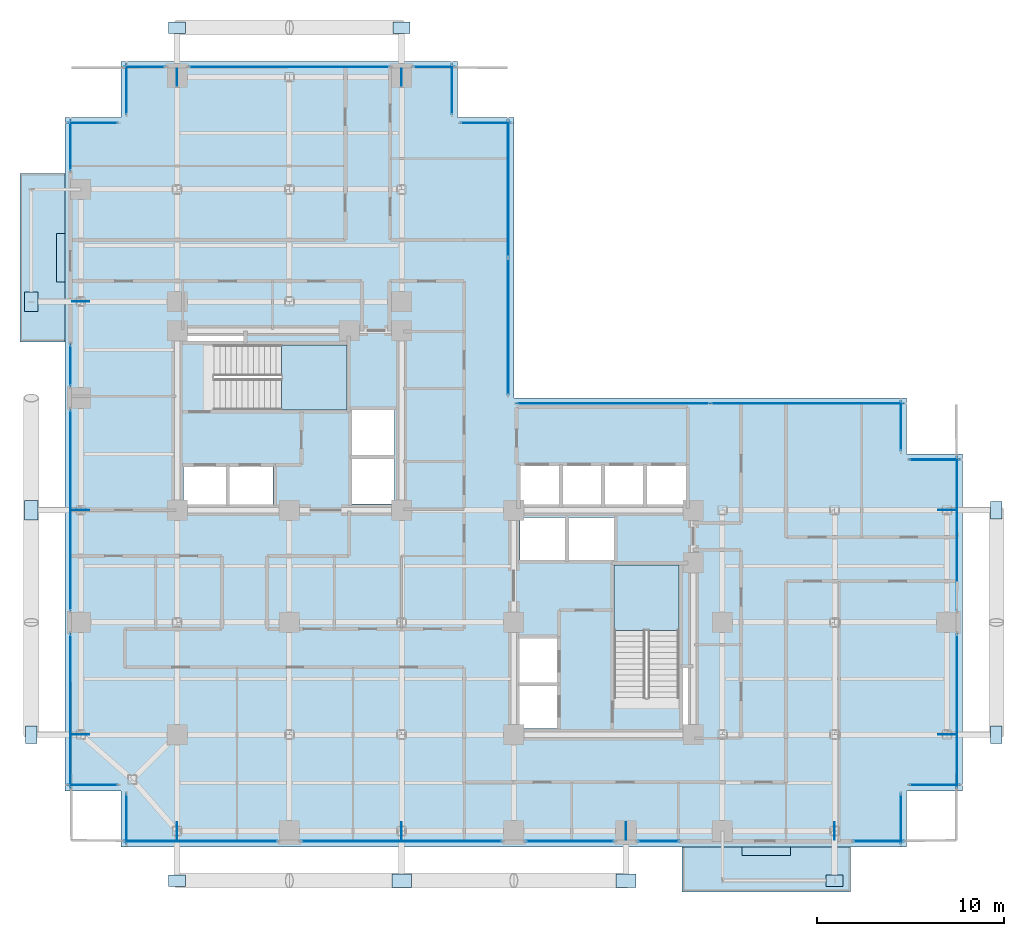
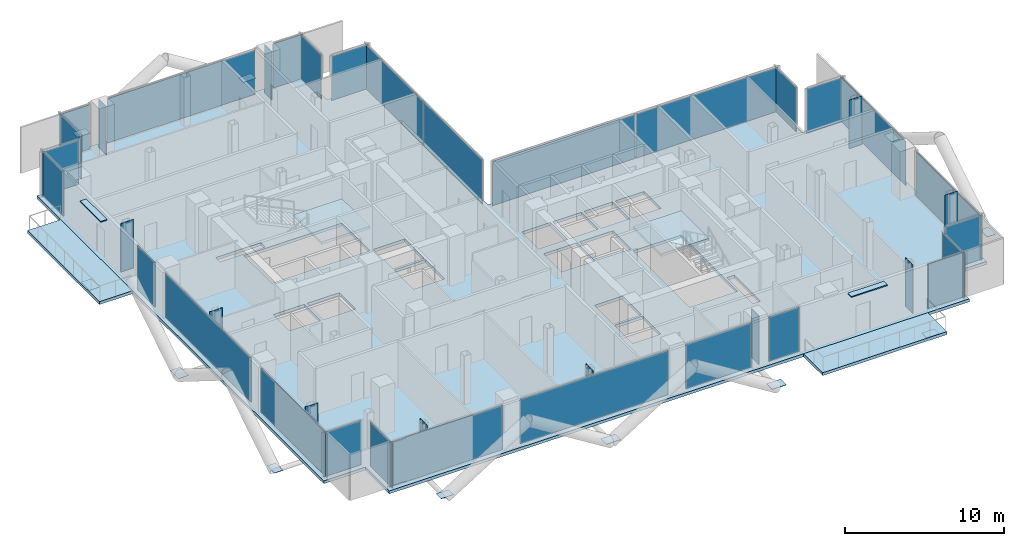
# One storey, part 18 of 28: 52 plates, 5 slabs, 28 elements without a shape of their own.
"""IFC4 building model written with IfcOpenShell, lengths in metres."""

from ifc_helpers import new_model, si_unit, direction, frame, origin, origin_2d, place, context, subcontext, project, spatial, polyline, rectangle, outline, extrude, material, layer, layer_set, type_object, element, aggregate, save


model = new_model("IFC4")

# Units and contexts
model_context = context("Model", 3, precision=1e-05, world=origin(), true_north=direction((0.0, 1.0)))
body_context = subcontext(model_context, "Body", "Model", "MODEL_VIEW")
ifc_project = project(units=[si_unit("LENGTHUNIT", "METRE"), si_unit("AREAUNIT", "SQUARE_METRE"), si_unit("VOLUMEUNIT", "CUBIC_METRE"), si_unit("PLANEANGLEUNIT", "RADIAN"), si_unit("MASSUNIT", "GRAM", prefix="KILO"), si_unit("THERMODYNAMICTEMPERATUREUNIT", "KELVIN"), si_unit("POWERUNIT", "WATT")], contexts=[model_context])

# Site, building, storey
site_placement = place(None, origin())
site = spatial("IfcSite", under=ifc_project, at=site_placement, CompositionType="ELEMENT")
building_placement = place(site_placement, origin())
building = spatial("IfcBuilding", under=site, at=building_placement, Name="Svarakhadi Broadcast Tower", CompositionType="ELEMENT")
storey_placement = place(building_placement, frame((0.0, 0.0, 149.39990234375)))
storey = spatial("IfcBuildingStorey", under=building, at=storey_placement, Name="L36", CompositionType="ELEMENT", Elevation=149.39990234375)

# Curtain wall, plate
ifc_material_1 = material(Name="Anodised Bronze Aluminium AA 6063-T6", Category="aluminium")
ifc_layer_1 = layer(ifc_material_1, 0.199951171875)
ifc_layer_set_1 = layer_set([ifc_layer_1], Name="Anodised Bronze Aluminium AA 6063-T6")
curtain_wall_type = type_object("IfcCurtainWallType", Name="CW_Sys_03", PredefinedType="NOTDEFINED", material=ifc_layer_set_1)
curtain_wall_1_placement = place(storey_placement, origin())
curtain_wall_1 = element("IfcCurtainWall", 1, at=curtain_wall_1_placement, inside=storey, type_object=curtain_wall_type, Name="L36 Unitised Facade Curtain Wall 01", PredefinedType="NOTDEFINED")
ifc_material_2 = material(Name="Double Low-E Laminated Acoustic Glass IGU 36 mm", Category="glass")
ifc_layer_2 = layer(ifc_material_2, 0.035888671875)
ifc_layer_set_2 = layer_set([ifc_layer_2], Name="Double Low-E Laminated Acoustic Glass IGU 36 mm")
plate_type_1 = type_object("IfcPlateType", Name="CW_Sys_03_Pnl", PredefinedType="CURTAIN_PANEL", material=ifc_layer_set_2)
plate_1_placement = place(storey_placement, frame((1.5, 3.300048828125, 0.0703125), z_axis=(0.0, 0.0, 1.0), x_axis=(-1.0, 0.0, 0.0)))
plate_1 = element("IfcPlate", 2, at=plate_1_placement, type_object=plate_type_1, Name="CW-03 panel 1.1", PredefinedType="CURTAIN_PANEL", context=body_context, shape_type="SweptSolid", body=[
    extrude(rectangle(XDim=2.669921875, YDim=0.035888671875, at=origin_2d()), origin(), (0.0, 0.0, 1.0), 3.385009765625),
])
aggregate(curtain_wall_1, [plate_1])

curtain_wall_2_placement = place(storey_placement, origin())
curtain_wall_2 = element("IfcCurtainWall", 3, at=curtain_wall_2_placement, inside=storey, type_object=curtain_wall_type, Name="L36 West Curtain Wall 02 Bay 1", PredefinedType="NOTDEFINED")
plate_2_placement = place(storey_placement, frame((0.300048828125, 7.260009765625, 0.0703125), z_axis=(0.0, 0.0, 1.0), x_axis=(0.0, 1.0, 0.0)))
plate_2 = element("IfcPlate", 4, at=plate_2_placement, type_object=plate_type_1, Name="CW-03 panel 1.1", PredefinedType="CURTAIN_PANEL", context=body_context, shape_type="SweptSolid", body=[
    extrude(rectangle(XDim=8.18994140625, YDim=0.035888671875, at=origin_2d()), origin(), (0.0, 0.0, 1.0), 3.385009765625),
])
aggregate(curtain_wall_2, [plate_2])

curtain_wall_3_placement = place(storey_placement, origin())
curtain_wall_3 = element("IfcCurtainWall", 5, at=curtain_wall_3_placement, inside=storey, type_object=curtain_wall_type, Name="L36 West Curtain Wall 02 Bay 2", PredefinedType="NOTDEFINED")
plate_3_placement = place(storey_placement, frame((0.300048828125, 18.0, 0.0703125), z_axis=(0.0, 0.0, 1.0), x_axis=(0.0, 1.0, 0.0)))
plate_3 = element("IfcPlate", 6, at=plate_3_placement, type_object=plate_type_1, Name="CW-03 panel 1.1", PredefinedType="CURTAIN_PANEL", context=body_context, shape_type="SweptSolid", body=[
    extrude(rectangle(XDim=10.7099609375, YDim=0.035888671875, at=origin_2d()), origin(), (0.0, 0.0, 1.0), 3.385009765625),
])
aggregate(curtain_wall_3, [plate_3])

curtain_wall_4_placement = place(storey_placement, origin())
curtain_wall_4 = element("IfcCurtainWall", 7, at=curtain_wall_4_placement, inside=storey, type_object=curtain_wall_type, Name="L36 West Curtain Wall 02 Bay 3", PredefinedType="NOTDEFINED")
plate_4_placement = place(storey_placement, frame((0.300048828125, 25.739990234375, 0.0703125), z_axis=(0.0, 0.0, 1.0), x_axis=(0.0, 1.0, 0.0)))
plate_4 = element("IfcPlate", 8, at=plate_4_placement, type_object=plate_type_1, Name="CW-03 panel 1.1", PredefinedType="CURTAIN_PANEL", context=body_context, shape_type="SweptSolid", body=[
    extrude(rectangle(XDim=2.18994140625, YDim=0.035888671875, at=origin_2d()), origin(), (0.0, 0.0, 1.0), 3.385009765625),
])
aggregate(curtain_wall_4, [plate_4])

curtain_wall_5_placement = place(storey_placement, origin())
curtain_wall_5 = element("IfcCurtainWall", 9, at=curtain_wall_5_placement, inside=storey, type_object=curtain_wall_type, Name="L36 West Curtain Wall 03", PredefinedType="NOTDEFINED")
plate_5_placement = place(storey_placement, frame((0.300048828125, 37.5, 0.0703125), z_axis=(0.0, 0.0, 1.0), x_axis=(0.0, 1.0, 0.0)))
plate_5 = element("IfcPlate", 10, at=plate_5_placement, type_object=plate_type_1, Name="CW-03 panel 1.1", PredefinedType="CURTAIN_PANEL", context=body_context, shape_type="SweptSolid", body=[
    extrude(rectangle(XDim=2.669921875, YDim=0.035888671875, at=origin_2d()), origin(), (0.0, 0.0, 1.0), 3.385009765625),
])
aggregate(curtain_wall_5, [plate_5])

curtain_wall_6_placement = place(storey_placement, origin())
curtain_wall_6 = element("IfcCurtainWall", 11, at=curtain_wall_6_placement, inside=storey, type_object=curtain_wall_type, Name="L36 Unitised Facade Curtain Wall 04", PredefinedType="NOTDEFINED")
plate_6_placement = place(storey_placement, frame((1.5, 38.699951171875, 0.0703125), z_axis=(0.0, 0.0, 1.0), x_axis=(1.0, 0.0, 0.0)))
plate_6 = element("IfcPlate", 12, at=plate_6_placement, type_object=plate_type_1, Name="CW-03 panel 1.1", PredefinedType="CURTAIN_PANEL", context=body_context, shape_type="SweptSolid", body=[
    extrude(rectangle(XDim=2.669921875, YDim=0.035888671875, at=origin_2d()), origin(), (0.0, 0.0, 1.0), 3.385009765625),
])
aggregate(curtain_wall_6, [plate_6])

curtain_wall_7_placement = place(storey_placement, origin())
curtain_wall_7 = element("IfcCurtainWall", 13, at=curtain_wall_7_placement, inside=storey, type_object=curtain_wall_type, Name="L36 Unitised Facade Curtain Wall 05", PredefinedType="NOTDEFINED")
plate_7_placement = place(storey_placement, frame((3.300048828125, 40.5, 0.0703125), z_axis=(0.0, 0.0, 1.0), x_axis=(0.0, 1.0, 0.0)))
plate_7 = element("IfcPlate", 14, at=plate_7_placement, type_object=plate_type_1, Name="CW-03 panel 1.1", PredefinedType="CURTAIN_PANEL", context=body_context, shape_type="SweptSolid", body=[
    extrude(rectangle(XDim=2.669921875, YDim=0.035888671875, at=origin_2d()), origin(), (0.0, 0.0, 1.0), 3.385009765625),
])
aggregate(curtain_wall_7, [plate_7])

curtain_wall_8_placement = place(storey_placement, origin())
curtain_wall_8 = element("IfcCurtainWall", 15, at=curtain_wall_8_placement, inside=storey, type_object=curtain_wall_type, Name="L36 Unitised Facade Curtain Wall 06 Bay 1", PredefinedType="NOTDEFINED")
plate_8_placement = place(storey_placement, frame((4.260009765625, 41.699951171875, 0.0703125), z_axis=(0.0, 0.0, 1.0), x_axis=(1.0, 0.0, 0.0)))
plate_8 = element("IfcPlate", 16, at=plate_8_placement, type_object=plate_type_1, Name="CW-03 panel 1.1", PredefinedType="CURTAIN_PANEL", context=body_context, shape_type="SweptSolid", body=[
    extrude(rectangle(XDim=2.18994140625, YDim=0.035888671875, at=origin_2d()), origin(), (0.0, 0.0, 1.0), 3.385009765625),
])
aggregate(curtain_wall_8, [plate_8])

curtain_wall_9_placement = place(storey_placement, origin())
curtain_wall_9 = element("IfcCurtainWall", 17, at=curtain_wall_9_placement, inside=storey, type_object=curtain_wall_type, Name="L36 Unitised Facade Curtain Wall 06 Bay 2", PredefinedType="NOTDEFINED")
plate_9_placement = place(storey_placement, frame((12.0, 41.699951171875, 0.0703125), z_axis=(0.0, 0.0, 1.0), x_axis=(1.0, 0.0, 0.0)))
plate_9 = element("IfcPlate", 18, at=plate_9_placement, type_object=plate_type_1, Name="CW-03 panel 1.1", PredefinedType="CURTAIN_PANEL", context=body_context, shape_type="SweptSolid", body=[
    extrude(rectangle(XDim=10.7099609375, YDim=0.035888671875, at=origin_2d()), origin(), (0.0, 0.0, 1.0), 3.385009765625),
])
aggregate(curtain_wall_9, [plate_9])

curtain_wall_10_placement = place(storey_placement, origin())
curtain_wall_10 = element("IfcCurtainWall", 19, at=curtain_wall_10_placement, inside=storey, type_object=curtain_wall_type, Name="L36 Unitised Facade Curtain Wall 06 Bay 3", PredefinedType="NOTDEFINED")
plate_10_placement = place(storey_placement, frame((19.739990234375, 41.699951171875, 0.0703125), z_axis=(0.0, 0.0, 1.0), x_axis=(1.0, 0.0, 0.0)))
plate_10 = element("IfcPlate", 20, at=plate_10_placement, type_object=plate_type_1, Name="CW-03 panel 1.1", PredefinedType="CURTAIN_PANEL", context=body_context, shape_type="SweptSolid", body=[
    extrude(rectangle(XDim=2.18994140625, YDim=0.035888671875, at=origin_2d()), origin(), (0.0, 0.0, 1.0), 3.385009765625),
])
aggregate(curtain_wall_10, [plate_10])

curtain_wall_11_placement = place(storey_placement, origin())
curtain_wall_11 = element("IfcCurtainWall", 21, at=curtain_wall_11_placement, inside=storey, type_object=curtain_wall_type, Name="L36 Unitised Facade Curtain Wall 07", PredefinedType="NOTDEFINED")
plate_11_placement = place(storey_placement, frame((20.699951171875, 40.5, 0.0703125), z_axis=(0.0, 0.0, 1.0), x_axis=(0.0, -1.0, 0.0)))
plate_11 = element("IfcPlate", 22, at=plate_11_placement, type_object=plate_type_1, Name="CW-03 panel 1.1", PredefinedType="CURTAIN_PANEL", context=body_context, shape_type="SweptSolid", body=[
    extrude(rectangle(XDim=2.669921875, YDim=0.035888671875, at=origin_2d()), origin(), (0.0, 0.0, 1.0), 3.385009765625),
])
aggregate(curtain_wall_11, [plate_11])

curtain_wall_12_placement = place(storey_placement, origin())
curtain_wall_12 = element("IfcCurtainWall", 23, at=curtain_wall_12_placement, inside=storey, type_object=curtain_wall_type, Name="L36 Unitised Facade Curtain Wall 08", PredefinedType="NOTDEFINED")
plate_12_placement = place(storey_placement, frame((22.5, 38.699951171875, 0.0703125), z_axis=(0.0, 0.0, 1.0), x_axis=(1.0, 0.0, 0.0)))
plate_12 = element("IfcPlate", 24, at=plate_12_placement, type_object=plate_type_1, Name="CW-03 panel 1.1", PredefinedType="CURTAIN_PANEL", context=body_context, shape_type="SweptSolid", body=[
    extrude(rectangle(XDim=2.669921875, YDim=0.035888671875, at=origin_2d()), origin(), (0.0, 0.0, 1.0), 3.385009765625),
])
aggregate(curtain_wall_12, [plate_12])

# Curtain wall, plates
curtain_wall_13_placement = place(storey_placement, origin())
curtain_wall_13 = element("IfcCurtainWall", 25, at=curtain_wall_13_placement, inside=storey, type_object=curtain_wall_type, Name="L36 Unitised Facade Curtain Wall 09", PredefinedType="NOTDEFINED")
plate_13_placement = place(storey_placement, frame((23.699951171875, 35.186279296875, 0.0703125), z_axis=(0.0, 0.0, 1.0), x_axis=(0.0, -1.0, 0.0)))
plate_13 = element("IfcPlate", 26, at=plate_13_placement, type_object=plate_type_1, Name="CW-03 panel 1.1", PredefinedType="CURTAIN_PANEL", context=body_context, shape_type="SweptSolid", body=[
    extrude(rectangle(XDim=7.297607421875, YDim=0.035888671875, at=origin_2d()), origin(), (0.0, 0.0, 1.0), 3.385009765625),
])
plate_14_placement = place(storey_placement, frame((23.699951171875, 27.813720703125, 0.0703125), z_axis=(0.0, 0.0, 1.0), x_axis=(0.0, -1.0, 0.0)))
plate_14 = element("IfcPlate", 27, at=plate_14_placement, type_object=plate_type_1, Name="CW-03 panel 2.1", PredefinedType="CURTAIN_PANEL", context=body_context, shape_type="SweptSolid", body=[
    extrude(rectangle(XDim=7.297607421875, YDim=0.035888671875, at=origin_2d()), origin(), (0.0, 0.0, 1.0), 3.385009765625),
])
aggregate(curtain_wall_13, [plate_13, plate_14])

curtain_wall_14_placement = place(storey_placement, origin())
curtain_wall_14 = element("IfcCurtainWall", 28, at=curtain_wall_14_placement, inside=storey, type_object=curtain_wall_type, Name="L36 Unitised Facade Curtain Wall 10", PredefinedType="NOTDEFINED")
plate_15_placement = place(storey_placement, frame((29.313720703125, 23.699951171875, 0.0703125), z_axis=(0.0, 0.0, 1.0), x_axis=(1.0, 0.0, 0.0)))
plate_15 = element("IfcPlate", 29, at=plate_15_placement, type_object=plate_type_1, Name="CW-03 panel 1.1", PredefinedType="CURTAIN_PANEL", context=body_context, shape_type="SweptSolid", body=[
    extrude(rectangle(XDim=10.297607421875, YDim=0.035888671875, at=origin_2d()), origin(), (0.0, 0.0, 1.0), 3.385009765625),
])
plate_16_placement = place(storey_placement, frame((39.686279296875, 23.699951171875, 0.0703125), z_axis=(0.0, 0.0, 1.0), x_axis=(1.0, 0.0, 0.0)))
plate_16 = element("IfcPlate", 30, at=plate_16_placement, type_object=plate_type_1, Name="CW-03 panel 2.1", PredefinedType="CURTAIN_PANEL", context=body_context, shape_type="SweptSolid", body=[
    extrude(rectangle(XDim=10.297607421875, YDim=0.035888671875, at=origin_2d()), origin(), (0.0, 0.0, 1.0), 3.385009765625),
])
aggregate(curtain_wall_14, [plate_15, plate_16])

# Curtain wall, plate
curtain_wall_15_placement = place(storey_placement, origin())
curtain_wall_15 = element("IfcCurtainWall", 31, at=curtain_wall_15_placement, inside=storey, type_object=curtain_wall_type, Name="L36 Unitised Facade Curtain Wall 11", PredefinedType="NOTDEFINED")
plate_17_placement = place(storey_placement, frame((44.699951171875, 22.5, 0.0703125), z_axis=(0.0, 0.0, 1.0), x_axis=(0.0, -1.0, 0.0)))
plate_17 = element("IfcPlate", 32, at=plate_17_placement, type_object=plate_type_1, Name="CW-03 panel 1.1", PredefinedType="CURTAIN_PANEL", context=body_context, shape_type="SweptSolid", body=[
    extrude(rectangle(XDim=2.669921875, YDim=0.035888671875, at=origin_2d()), origin(), (0.0, 0.0, 1.0), 3.385009765625),
])
aggregate(curtain_wall_15, [plate_17])

curtain_wall_16_placement = place(storey_placement, origin())
curtain_wall_16 = element("IfcCurtainWall", 33, at=curtain_wall_16_placement, inside=storey, type_object=curtain_wall_type, Name="L36 Unitised Facade Curtain Wall 12", PredefinedType="NOTDEFINED")
plate_18_placement = place(storey_placement, frame((46.5, 20.699951171875, 0.0703125), z_axis=(0.0, 0.0, 1.0), x_axis=(1.0, 0.0, 0.0)))
plate_18 = element("IfcPlate", 34, at=plate_18_placement, type_object=plate_type_1, Name="CW-03 panel 1.1", PredefinedType="CURTAIN_PANEL", context=body_context, shape_type="SweptSolid", body=[
    extrude(rectangle(XDim=2.669921875, YDim=0.035888671875, at=origin_2d()), origin(), (0.0, 0.0, 1.0), 3.385009765625),
])
aggregate(curtain_wall_16, [plate_18])

curtain_wall_17_placement = place(storey_placement, origin())
curtain_wall_17 = element("IfcCurtainWall", 35, at=curtain_wall_17_placement, inside=storey, type_object=curtain_wall_type, Name="L36 Unitised Facade Curtain Wall 13 Bay 1", PredefinedType="NOTDEFINED")
plate_19_placement = place(storey_placement, frame((47.699951171875, 16.739990234375, 0.0703125), z_axis=(0.0, 0.0, 1.0), x_axis=(0.0, -1.0, 0.0)))
plate_19 = element("IfcPlate", 36, at=plate_19_placement, type_object=plate_type_1, Name="CW-03 panel 1.1", PredefinedType="CURTAIN_PANEL", context=body_context, shape_type="SweptSolid", body=[
    extrude(rectangle(XDim=8.18994140625, YDim=0.035888671875, at=origin_2d()), origin(), (0.0, 0.0, 1.0), 3.385009765625),
])
aggregate(curtain_wall_17, [plate_19])

curtain_wall_18_placement = place(storey_placement, origin())
curtain_wall_18 = element("IfcCurtainWall", 37, at=curtain_wall_18_placement, inside=storey, type_object=curtain_wall_type, Name="L36 Unitised Facade Curtain Wall 13 Bay 2", PredefinedType="NOTDEFINED")
plate_20_placement = place(storey_placement, frame((47.699951171875, 7.260009765625, 0.0703125), z_axis=(0.0, 0.0, 1.0), x_axis=(0.0, -1.0, 0.0)))
plate_20 = element("IfcPlate", 38, at=plate_20_placement, type_object=plate_type_1, Name="CW-03 panel 1.1", PredefinedType="CURTAIN_PANEL", context=body_context, shape_type="SweptSolid", body=[
    extrude(rectangle(XDim=8.18994140625, YDim=0.035888671875, at=origin_2d()), origin(), (0.0, 0.0, 1.0), 3.385009765625),
])
aggregate(curtain_wall_18, [plate_20])

curtain_wall_19_placement = place(storey_placement, origin())
curtain_wall_19 = element("IfcCurtainWall", 39, at=curtain_wall_19_placement, inside=storey, type_object=curtain_wall_type, Name="L36 Unitised Facade Curtain Wall 14", PredefinedType="NOTDEFINED")
plate_21_placement = place(storey_placement, frame((46.5, 3.300048828125, 0.0703125), z_axis=(0.0, 0.0, 1.0), x_axis=(-1.0, 0.0, 0.0)))
plate_21 = element("IfcPlate", 40, at=plate_21_placement, type_object=plate_type_1, Name="CW-03 panel 1.1", PredefinedType="CURTAIN_PANEL", context=body_context, shape_type="SweptSolid", body=[
    extrude(rectangle(XDim=2.669921875, YDim=0.035888671875, at=origin_2d()), origin(), (0.0, 0.0, 1.0), 3.385009765625),
])
aggregate(curtain_wall_19, [plate_21])

curtain_wall_20_placement = place(storey_placement, origin())
curtain_wall_20 = element("IfcCurtainWall", 41, at=curtain_wall_20_placement, inside=storey, type_object=curtain_wall_type, Name="L36 Unitised Facade Curtain Wall 15", PredefinedType="NOTDEFINED")
plate_22_placement = place(storey_placement, frame((44.699951171875, 1.5, 0.0703125), z_axis=(0.0, 0.0, 1.0), x_axis=(0.0, -1.0, 0.0)))
plate_22 = element("IfcPlate", 42, at=plate_22_placement, type_object=plate_type_1, Name="CW-03 panel 1.1", PredefinedType="CURTAIN_PANEL", context=body_context, shape_type="SweptSolid", body=[
    extrude(rectangle(XDim=2.669921875, YDim=0.035888671875, at=origin_2d()), origin(), (0.0, 0.0, 1.0), 3.385009765625),
])
aggregate(curtain_wall_20, [plate_22])

curtain_wall_21_placement = place(storey_placement, origin())
curtain_wall_21 = element("IfcCurtainWall", 43, at=curtain_wall_21_placement, inside=storey, type_object=curtain_wall_type, Name="L36 South Curtain Wall 16", PredefinedType="NOTDEFINED")
plate_23_placement = place(storey_placement, frame((43.5, 0.300048828125, 0.0703125), z_axis=(0.0, 0.0, 1.0), x_axis=(-1.0, 0.0, 0.0)))
plate_23 = element("IfcPlate", 44, at=plate_23_placement, type_object=plate_type_1, Name="CW-03 panel 1.1", PredefinedType="CURTAIN_PANEL", context=body_context, shape_type="SweptSolid", body=[
    extrude(rectangle(XDim=2.669921875, YDim=0.035888671875, at=origin_2d()), origin(), (0.0, 0.0, 1.0), 3.385009765625),
])
aggregate(curtain_wall_21, [plate_23])

curtain_wall_22_placement = place(storey_placement, origin())
curtain_wall_22 = element("IfcCurtainWall", 45, at=curtain_wall_22_placement, inside=storey, type_object=curtain_wall_type, Name="L36 South Curtain Wall 17 Bay 1", PredefinedType="NOTDEFINED")
plate_24_placement = place(storey_placement, frame((31.739990234375, 0.300048828125, 0.0703125), z_axis=(0.0, 0.0, 1.0), x_axis=(-1.0, 0.0, 0.0)))
plate_24 = element("IfcPlate", 46, at=plate_24_placement, type_object=plate_type_1, Name="CW-03 panel 1.1", PredefinedType="CURTAIN_PANEL", context=body_context, shape_type="SweptSolid", body=[
    extrude(rectangle(XDim=2.18994140625, YDim=0.035888671875, at=origin_2d()), origin(), (0.0, 0.0, 1.0), 3.385009765625),
])
aggregate(curtain_wall_22, [plate_24])

curtain_wall_23_placement = place(storey_placement, origin())
curtain_wall_23 = element("IfcCurtainWall", 47, at=curtain_wall_23_placement, inside=storey, type_object=curtain_wall_type, Name="L36 South Curtain Wall 17 Bay 2", PredefinedType="NOTDEFINED")
plate_25_placement = place(storey_placement, frame((27.0, 0.300048828125, 0.0703125), z_axis=(0.0, 0.0, 1.0), x_axis=(-1.0, 0.0, 0.0)))
plate_25 = element("IfcPlate", 48, at=plate_25_placement, type_object=plate_type_1, Name="CW-03 panel 1.1", PredefinedType="CURTAIN_PANEL", context=body_context, shape_type="SweptSolid", body=[
    extrude(rectangle(XDim=4.7099609375, YDim=0.035888671875, at=origin_2d()), origin(), (0.0, 0.0, 1.0), 3.385009765625),
])
aggregate(curtain_wall_23, [plate_25])

curtain_wall_24_placement = place(storey_placement, origin())
curtain_wall_24 = element("IfcCurtainWall", 49, at=curtain_wall_24_placement, inside=storey, type_object=curtain_wall_type, Name="L36 South Curtain Wall 17 Bay 3", PredefinedType="NOTDEFINED")
plate_26_placement = place(storey_placement, frame((18.0, 0.300048828125, 0.0703125), z_axis=(0.0, 0.0, 1.0), x_axis=(-1.0, 0.0, 0.0)))
plate_26 = element("IfcPlate", 50, at=plate_26_placement, type_object=plate_type_1, Name="CW-03 panel 1.1", PredefinedType="CURTAIN_PANEL", context=body_context, shape_type="SweptSolid", body=[
    extrude(rectangle(XDim=10.7099609375, YDim=0.035888671875, at=origin_2d()), origin(), (0.0, 0.0, 1.0), 3.385009765625),
])
aggregate(curtain_wall_24, [plate_26])

curtain_wall_25_placement = place(storey_placement, origin())
curtain_wall_25 = element("IfcCurtainWall", 51, at=curtain_wall_25_placement, inside=storey, type_object=curtain_wall_type, Name="L36 South Curtain Wall 17 Bay 4", PredefinedType="NOTDEFINED")
plate_27_placement = place(storey_placement, frame((7.260009765625, 0.300048828125, 0.0703125), z_axis=(0.0, 0.0, 1.0), x_axis=(-1.0, 0.0, 0.0)))
plate_27 = element("IfcPlate", 52, at=plate_27_placement, type_object=plate_type_1, Name="CW-03 panel 1.1", PredefinedType="CURTAIN_PANEL", context=body_context, shape_type="SweptSolid", body=[
    extrude(rectangle(XDim=8.18994140625, YDim=0.035888671875, at=origin_2d()), origin(), (0.0, 0.0, 1.0), 3.385009765625),
])
aggregate(curtain_wall_25, [plate_27])

curtain_wall_26_placement = place(storey_placement, origin())
curtain_wall_26 = element("IfcCurtainWall", 53, at=curtain_wall_26_placement, inside=storey, type_object=curtain_wall_type, Name="L36 Unitised Facade Curtain Wall 18", PredefinedType="NOTDEFINED")
plate_28_placement = place(storey_placement, frame((3.300048828125, 1.5, 0.0703125), z_axis=(0.0, 0.0, 1.0), x_axis=(0.0, 1.0, 0.0)))
plate_28 = element("IfcPlate", 54, at=plate_28_placement, type_object=plate_type_1, Name="CW-03 panel 1.1", PredefinedType="CURTAIN_PANEL", context=body_context, shape_type="SweptSolid", body=[
    extrude(rectangle(XDim=2.669921875, YDim=0.035888671875, at=origin_2d()), origin(), (0.0, 0.0, 1.0), 3.385009765625),
])
aggregate(curtain_wall_26, [plate_28])

# Plates
ifc_material_3 = material(Name="Steel S460ML (IS 2062 E450BR)", Category="steel")
ifc_layer_3 = layer(ifc_material_3, 0.031982421875)
ifc_layer_set_3 = layer_set([ifc_layer_3], Name="Steel S460ML (IS 2062 E450BR)")
plate_type_2 = type_object("IfcPlateType", Name="Node_Gusset_N02", PredefinedType="SHEET", material=ifc_layer_set_3)
for number, where, z_axis, x_axis, name in (
    (55, (18.0, -1.800048828125, -0.22509765625), (0.0, 0.0, 1.0), (1.0, 0.0, 0.0), "L36 Exoskeleton Gusset Node Plate S02"),
    (56, (30.0, -1.800048828125, -0.22509765625), (0.0, 0.0, 1.0), (1.0, 0.0, 0.0), "L36 Exoskeleton Gusset Node Plate S03"),
    (57, (-1.800048828125, 18.0, -0.22509765625), (0.0, 0.0, 1.0), (0.0, 1.0, 0.0), "L36 Exoskeleton Gusset Node Plate W06"),
    (58, (-1.800048828125, 29.14990234375, -0.22509765625), (0.0, 0.0, 1.0), (0.0, 1.0, 0.0), "L36 Exoskeleton Gusset Node Plate W07"),
):
    element("IfcPlate", number, at=place(storey_placement, frame(where, z_axis=z_axis, x_axis=x_axis)), inside=storey, type_object=plate_type_2, Name=name, PredefinedType="SHEET", context=body_context, shape_type="SweptSolid", body=[
        extrude(rectangle(XDim=1.050048828125, YDim=0.719970703125, at=origin_2d()), origin(), (0.0, 0.0, 1.0), 0.031982421875),
    ])
ifc_layer_4 = layer(ifc_material_3, 0.02587890625)
ifc_layer_set_4 = layer_set([ifc_layer_4], Name="Steel S460ML (IS 2062 E450BR)")
plate_type_3 = type_object("IfcPlateType", Name="Node_Gusset_N07", PredefinedType="SHEET", material=ifc_layer_set_4)
for number, where, z_axis, x_axis, name in (
    (59, (6.0, -1.800048828125, -0.224853515625), (0.0, 0.0, 1.0), (1.0, 0.0, 0.0), "L36 Exoskeleton Gusset Node Plate S01"),
    (60, (41.14990234375, -1.800048828125, -0.224853515625), (0.0, 0.0, 1.0), (1.0, 0.0, 0.0), "L36 Exoskeleton Gusset Node Plate S04"),
    (61, (-1.800048828125, 6.0, -0.224853515625), (0.0, 0.0, 1.0), (0.0, 1.0, 0.0), "L36 Exoskeleton Gusset Node Plate W05"),
    (62, (49.800048828125, 6.0, -0.224853515625), (0.0, 0.0, 1.0), (0.0, 1.0, 0.0), "L36 Exoskeleton Gusset Node Plate E08"),
    (63, (49.800048828125, 18.0, -0.224853515625), (0.0, 0.0, 1.0), (0.0, 1.0, 0.0), "L36 Exoskeleton Gusset Node Plate E09"),
    (64, (6.0, 43.800048828125, -0.224853515625), (0.0, 0.0, 1.0), (1.0, 0.0, 0.0), "L36 Exoskeleton Gusset Node Plate N10"),
    (65, (18.0, 43.800048828125, -0.224853515625), (0.0, 0.0, 1.0), (1.0, 0.0, 0.0), "L36 Exoskeleton Gusset Node Plate N11"),
):
    element("IfcPlate", number, at=place(storey_placement, frame(where, z_axis=z_axis, x_axis=x_axis)), inside=storey, type_object=plate_type_3, Name=name, PredefinedType="SHEET", context=body_context, shape_type="SweptSolid", body=[
        extrude(rectangle(XDim=0.919921875, YDim=0.6201171875, at=origin_2d()), origin(), (0.0, 0.0, 1.0), 0.02587890625),
    ])
for number, where, z_axis, x_axis, name in (
    (66, (6.0, 0.85009765625, -0.5869140625), (0.0, 0.0, 1.0), (0.0, 1.0, 0.0), "L36 Brace End Connection Gusset Plate N-07-E0293"),
    (67, (18.0, 0.85009765625, -0.5869140625), (0.0, 0.0, 1.0), (0.0, 1.0, 0.0), "L36 Brace End Connection Gusset Plate N-07-E0294"),
    (68, (30.0, 0.85009765625, -0.5869140625), (0.0, 0.0, 1.0), (0.0, 1.0, 0.0), "L36 Brace End Connection Gusset Plate N-07-E0295"),
    (69, (41.14990234375, 0.85009765625, -0.5869140625), (0.0, 0.0, 1.0), (0.0, 1.0, 0.0), "L36 Brace End Connection Gusset Plate N-07-E0296"),
    (70, (0.85009765625, 6.0, -0.5869140625), (0.0, 0.0, 1.0), (1.0, 0.0, 0.0), "L36 Brace End Connection Gusset Plate N-07-E0297"),
    (71, (0.85009765625, 18.0, -0.5869140625), (0.0, 0.0, 1.0), (1.0, 0.0, 0.0), "L36 Brace End Connection Gusset Plate N-07-E0298"),
    (72, (0.85009765625, 29.14990234375, -0.5869140625), (0.0, 0.0, 1.0), (1.0, 0.0, 0.0), "L36 Brace End Connection Gusset Plate N-07-E0299"),
    (73, (47.14990234375, 6.0, -0.5869140625), (0.0, 0.0, 1.0), (1.0, 0.0, 0.0), "L36 Brace End Connection Gusset Plate N-07-E0300"),
    (74, (47.14990234375, 18.0, -0.5869140625), (0.0, 0.0, 1.0), (1.0, 0.0, 0.0), "L36 Brace End Connection Gusset Plate N-07-E0301"),
    (75, (6.0, 41.14990234375, -0.5869140625), (0.0, 0.0, 1.0), (0.0, 1.0, 0.0), "L36 Brace End Connection Gusset Plate N-07-E0302"),
    (76, (18.0, 41.14990234375, -0.5869140625), (0.0, 0.0, 1.0), (0.0, 1.0, 0.0), "L36 Brace End Connection Gusset Plate N-07-E0303"),
):
    element("IfcPlate", number, at=place(storey_placement, frame(where, z_axis=z_axis, x_axis=x_axis)), inside=storey, type_object=plate_type_3, Name=name, PredefinedType="SHEET", context=body_context, shape_type="SweptSolid", body=[
        extrude(rectangle(XDim=0.919921875, YDim=0.02587890625, at=origin_2d()), origin(), (0.0, 0.0, 1.0), 4.300048828125),
    ])

# Slab
ifc_material_4 = material(Name="Concrete C40/50 (IS 456 M50)", Category="concrete")
ifc_layer_5 = layer(ifc_material_4, 0.22509765625)
ifc_layer_set_5 = layer_set([ifc_layer_5], Name="Concrete C40/50 (IS 456 M50)")
slab_type_1 = type_object("IfcSlabType", Name="Slab_Floor_225", PredefinedType="FLOOR", material=ifc_layer_set_5)
slab_1_placement = place(storey_placement, frame((0.0, 0.0, -0.224853515625)))
element("IfcSlab", 77, at=slab_1_placement, inside=storey, type_object=slab_type_1, Name="L36 Structural Floor Slab", PredefinedType="FLOOR", context=body_context, shape_type="SweptSolid", body=[
    extrude(outline(polyline([(3.0, 0.0), (45.0, 0.0), (45.0, 3.0), (48.0, 3.0), (48.0, 21.0), (45.0, 21.0), (45.0, 24.0), (24.0, 24.0), (24.0, 39.0), (21.0, 39.0), (21.0, 42.0), (3.0, 42.0), (3.0, 39.0), (0.0, 39.0), (0.0, 3.0), (3.0, 3.0), (3.0, 0.0)]), holes=[polyline([(7.97998046875, 23.360107421875), (15.080078125, 23.360107421875), (15.080078125, 26.840087890625), (7.97998046875, 26.840087890625), (7.97998046875, 23.360107421875)]), polyline([(32.840087890625, 7.97998046875), (32.840087890625, 15.080078125), (29.360107421875, 15.080078125), (29.360107421875, 7.97998046875), (32.840087890625, 7.97998046875)]), polyline([(6.340087890625, 18.2900390625), (8.610107421875, 18.2900390625), (8.610107421875, 20.330078125), (6.340087890625, 20.330078125), (6.340087890625, 18.2900390625)]), polyline([(8.7900390625, 18.2900390625), (11.1298828125, 18.2900390625), (11.1298828125, 20.330078125), (8.7900390625, 20.330078125), (8.7900390625, 18.2900390625)]), polyline([(24.2900390625, 6.340087890625), (26.330078125, 6.340087890625), (26.330078125, 8.610107421875), (24.2900390625, 8.610107421875), (24.2900390625, 6.340087890625)]), polyline([(24.2900390625, 8.7900390625), (26.330078125, 8.7900390625), (26.330078125, 11.1298828125), (24.2900390625, 11.1298828125), (24.2900390625, 8.7900390625)]), polyline([(6.340087890625, 26.989990234375), (9.610107421875, 26.989990234375), (9.610107421875, 27.530029296875), (6.340087890625, 27.530029296875), (6.340087890625, 26.989990234375)]), polyline([(32.989990234375, 6.340087890625), (33.530029296875, 6.340087890625), (33.530029296875, 9.610107421875), (32.989990234375, 9.610107421875), (32.989990234375, 6.340087890625)]), polyline([(15.340087890625, 18.340087890625), (17.610107421875, 18.340087890625), (17.610107421875, 20.760009765625), (15.340087890625, 20.760009765625), (15.340087890625, 18.340087890625)]), polyline([(15.340087890625, 20.93994140625), (17.610107421875, 20.93994140625), (17.610107421875, 23.360107421875), (15.340087890625, 23.360107421875), (15.340087890625, 20.93994140625)]), polyline([(24.340087890625, 15.340087890625), (26.760009765625, 15.340087890625), (26.760009765625, 17.610107421875), (24.340087890625, 17.610107421875), (24.340087890625, 15.340087890625)]), polyline([(26.93994140625, 15.340087890625), (29.360107421875, 15.340087890625), (29.360107421875, 17.610107421875), (26.93994140625, 17.610107421875), (26.93994140625, 15.340087890625)]), polyline([(24.340087890625, 18.239990234375), (26.429931640625, 18.239990234375), (26.429931640625, 20.360107421875), (24.340087890625, 20.360107421875), (24.340087890625, 18.239990234375)]), polyline([(26.610107421875, 18.239990234375), (28.679931640625, 18.239990234375), (28.679931640625, 20.360107421875), (26.610107421875, 20.360107421875), (26.610107421875, 18.239990234375)]), polyline([(28.860107421875, 18.239990234375), (30.929931640625, 18.239990234375), (30.929931640625, 20.360107421875), (28.860107421875, 20.360107421875), (28.860107421875, 18.239990234375)]), polyline([(31.110107421875, 18.239990234375), (33.2099609375, 18.239990234375), (33.2099609375, 20.360107421875), (31.110107421875, 20.360107421875), (31.110107421875, 18.239990234375)])]), origin(), (0.0, 0.0, 1.0), 0.224853515625),
])

# Stair, slab
stair_type = type_object("IfcStairType", Name="Stair_Exit_Core", PredefinedType="HALF_TURN_STAIR", material=ifc_material_4)
stair_1_placement = place(storey_placement, origin())
stair_1 = element("IfcStair", 78, at=stair_1_placement, inside=storey, type_object=stair_type, Name="L36 West Core Protected Exit Stair ST-01", PredefinedType="HALF_TURN_STAIR")
ifc_layer_6 = layer(ifc_material_4, 0.199951171875)
ifc_layer_set_6 = layer_set([ifc_layer_6], Name="Concrete C40/50 (IS 456 M50)")
slab_type_2 = type_object("IfcSlabType", Name="Slab_Stair_Land", PredefinedType="LANDING", material=ifc_layer_set_6)
slab_2_placement = place(storey_placement, frame((0.0, 0.0, 1.675048828125)))
slab_2 = element("IfcSlab", 79, at=slab_2_placement, type_object=slab_type_2, Name="ST-01 landing 1", PredefinedType="LANDING", context=body_context, shape_type="SweptSolid", body=[
    extrude(outline(polyline([(11.580078125, 23.360107421875), (15.080078125, 23.360107421875), (15.080078125, 26.840087890625), (11.580078125, 26.840087890625), (11.580078125, 23.360107421875)])), origin(), (0.0, 0.0, 1.0), 0.199951171875),
])
aggregate(stair_1, [slab_2])

stair_2_placement = place(storey_placement, origin())
stair_2 = element("IfcStair", 80, at=stair_2_placement, inside=storey, type_object=stair_type, Name="L36 East Core Protected Exit Stair ST-02", PredefinedType="HALF_TURN_STAIR")
slab_3_placement = place(storey_placement, frame((0.0, 0.0, 1.675048828125)))
slab_3 = element("IfcSlab", 81, at=slab_3_placement, type_object=slab_type_2, Name="ST-02 landing 1", PredefinedType="LANDING", context=body_context, shape_type="SweptSolid", body=[
    extrude(outline(polyline([(32.840087890625, 11.580078125), (32.840087890625, 15.080078125), (29.360107421875, 15.080078125), (29.360107421875, 11.580078125), (32.840087890625, 11.580078125)])), origin(), (0.0, 0.0, 1.0), 0.199951171875),
])
aggregate(stair_2, [slab_3])

# Slabs
ifc_layer_7 = layer(ifc_material_4, 0.22509765625)
ifc_layer_set_7 = layer_set([ifc_layer_7], Name="Concrete C40/50 (IS 456 M50)")
slab_type_3 = type_object("IfcSlabType", Name="Slab_TreeBalcony", PredefinedType="FLOOR", material=ifc_layer_set_7)
slab_4_placement = place(storey_placement, frame((0.0, 0.0, -0.224853515625)))
element("IfcSlab", 82, at=slab_4_placement, inside=storey, type_object=slab_type_3, Name="L36 Planted Tree Balcony Slab BAL-E", PredefinedType="FLOOR", context=body_context, shape_type="SweptSolid", body=[
    extrude(outline(polyline([(33.0, -2.39990234375), (42.0, -2.39990234375), (42.0, 0.0), (33.0, 0.0), (33.0, -2.39990234375)])), origin(), (0.0, 0.0, 1.0), 0.224853515625),
])
slab_5_placement = place(storey_placement, frame((0.0, 0.0, -0.224853515625)))
element("IfcSlab", 83, at=slab_5_placement, inside=storey, type_object=slab_type_3, Name="L36 Planted Tree Balcony Slab BAL-N", PredefinedType="FLOOR", context=body_context, shape_type="SweptSolid", body=[
    extrude(outline(polyline([(-2.39990234375, 27.0), (0.0, 27.0), (0.0, 36.0), (-2.39990234375, 36.0), (-2.39990234375, 27.0)])), origin(), (0.0, 0.0, 1.0), 0.224853515625),
])

# Plates
ifc_layer_8 = layer(ifc_material_1, 0.080078125)
ifc_layer_set_8 = layer_set([ifc_layer_8], Name="Anodised Bronze Aluminium AA 6063-T6")
plate_type_4 = type_object("IfcPlateType", Name="Sunshade_Fin_SS01", PredefinedType="USERDEFINED", material=ifc_layer_set_8)
for number, where, z_axis, x_axis, name in (
    (84, (37.5, -0.22509765625, 3.445068359375), (0.0, 0.0, 1.0), (1.0, 0.0, 0.0), "L36 South Bronze Brise-Soleil Sunshade SS-01"),
    (85, (-0.22509765625, 31.5, 3.445068359375), (0.0, 0.0, 1.0), (0.0, 1.0, 0.0), "L36 West Bronze Brise-Soleil Sunshade SS-01"),
):
    element("IfcPlate", number, at=place(storey_placement, frame(where, z_axis=z_axis, x_axis=x_axis)), inside=storey, type_object=plate_type_4, Name=name, ObjectType="SUNSHADE", PredefinedType="USERDEFINED", context=body_context, shape_type="SweptSolid", body=[
        extrude(rectangle(XDim=2.60009765625, YDim=0.449951171875, at=origin_2d()), origin(), (0.0, 0.0, 1.0), 0.080078125),
    ])

save(model, "model.ifc")
